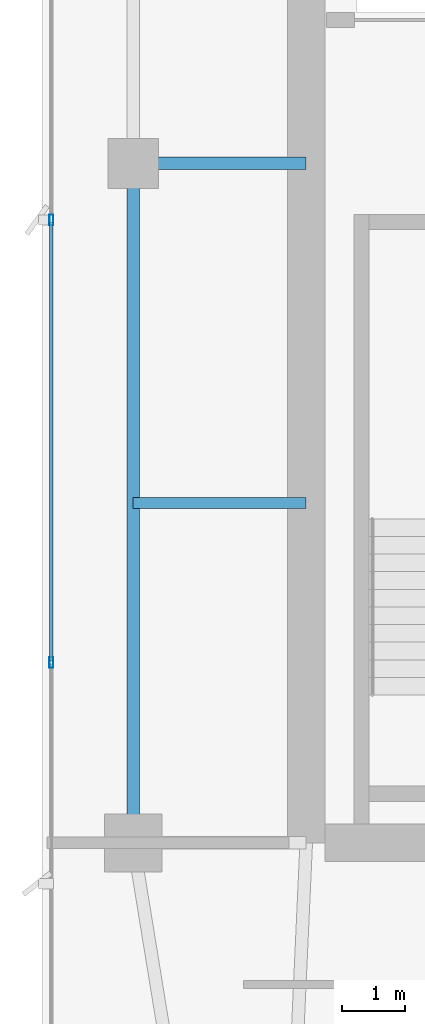
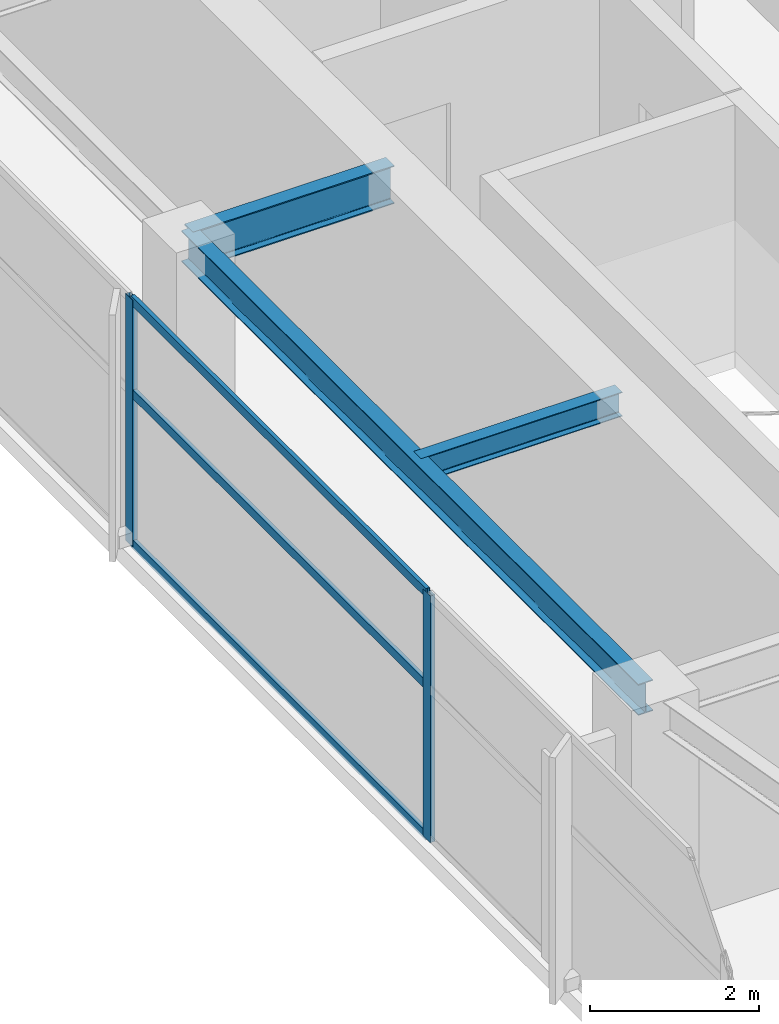
# One storey, part 10 of 27: 5 members, 3 beams, 1 element without a shape of its own.
"""IFC4 building model written with IfcOpenShell, lengths in metres."""

from ifc_helpers import new_model, si_unit, direction, frame, origin, origin_2d, place, context, subcontext, project, spatial, hollow_rectangle, i_section, extrude, material, layer, layer_set, material_profile, profile_set, type_object, element, aggregate, save


model = new_model("IFC4")

# Units and contexts
model_context = context("Model", 3, precision=1e-05, world=origin(), true_north=direction((0.0, 1.0)))
body_context = subcontext(model_context, "Body", "Model", "MODEL_VIEW")
ifc_project = project(units=[si_unit("LENGTHUNIT", "METRE"), si_unit("AREAUNIT", "SQUARE_METRE"), si_unit("VOLUMEUNIT", "CUBIC_METRE"), si_unit("PLANEANGLEUNIT", "RADIAN"), si_unit("MASSUNIT", "GRAM", prefix="KILO")], contexts=[model_context])

# Site, building, storey
site_placement = place(None, origin())
site = spatial("IfcSite", under=ifc_project, at=site_placement, CompositionType="ELEMENT")
building_placement = place(site_placement, origin())
building = spatial("IfcBuilding", under=site, at=building_placement, Name="Calvorn Quay Hotel", CompositionType="ELEMENT")
storey_placement = place(building_placement, frame((0.0, 0.0, 291.10009765625)))
storey = spatial("IfcBuildingStorey", under=building, at=storey_placement, Name="L72", CompositionType="ELEMENT", Elevation=291.10009765625)

# Beams
ifc_material_1 = material(Name="Steel Q355B", Category="steel")
ifc_material_profile_1 = material_profile(ifc_material_1, i_section(OverallWidth=0.199951171875, OverallDepth=0.550048828125, WebThickness=0.010009765625, FlangeThickness=0.01611328125, FilletRadius=0.01806640625, at=origin_2d()), Name="HN550x200x10x16")
ifc_profile_set_1 = profile_set([ifc_material_profile_1], Name="Steel Q355B")
beam_type_1 = type_object("IfcBeamType", Name="BM-GIRD-UPP", PredefinedType="BEAM", material=ifc_profile_set_1)
beam_1_placement = place(storey_placement, frame((1.449951171875, 27.60009765625, 3.264892578125), z_axis=(1.0, 0.0, 0.0), x_axis=(0.0, 1.0, 0.0)))
element("IfcBeam", 1, at=beam_1_placement, inside=storey, type_object=beam_type_1, Name="Beam BG-L72-W2", PredefinedType="BEAM", context=body_context, shape_type="SweptSolid", body=[
    extrude(i_section(OverallWidth=0.199951171875, OverallDepth=0.550048828125, WebThickness=0.010009765625, FlangeThickness=0.01611328125, FilletRadius=0.01806640625, at=origin_2d()), origin(), (0.0, 0.0, 1.0), 2.75),
])
ifc_material_2 = material(Name="Steel Q355B", Category="steel")
ifc_material_profile_2 = material_profile(ifc_material_2, i_section(OverallWidth=0.175048828125, OverallDepth=0.35009765625, WebThickness=0.007080078125, FlangeThickness=0.010986328125, FilletRadius=0.013916015625, at=origin_2d()), Name="HN350x175x7x11")
ifc_profile_set_2 = profile_set([ifc_material_profile_2], Name="Steel Q355B")
beam_type_2 = type_object("IfcBeamType", Name="BM-JOIST-SEC", PredefinedType="JOIST", material=ifc_profile_set_2)
beam_2_placement = place(storey_placement, frame((1.449951171875, 22.199951171875, 3.364990234375), z_axis=(1.0, 0.0, 0.0), x_axis=(0.0, 1.0, 0.0)))
element("IfcBeam", 2, at=beam_2_placement, inside=storey, type_object=beam_type_2, Name="Beam BJ-L72-W3", PredefinedType="JOIST", context=body_context, shape_type="SweptSolid", body=[
    extrude(i_section(OverallWidth=0.175048828125, OverallDepth=0.35009765625, WebThickness=0.007080078125, FlangeThickness=0.010986328125, FilletRadius=0.013916015625, at=origin_2d()), origin(), (0.0, 0.0, 1.0), 2.75),
])
ifc_material_3 = material(Name="Steel Q355B", Category="steel")
ifc_material_profile_3 = material_profile(ifc_material_3, i_section(OverallWidth=0.199951171875, OverallDepth=0.449951171875, WebThickness=0.009033203125, FlangeThickness=0.013916015625, FilletRadius=0.01611328125, at=origin_2d()), Name="HN450x200x9x14")
ifc_profile_set_3 = profile_set([ifc_material_profile_3], Name="Steel Q355B")
beam_type_3 = type_object("IfcBeamType", Name="BM-SPANDREL-Z3", PredefinedType="SPANDREL", material=ifc_profile_set_3)
beam_3_placement = place(storey_placement, frame((1.449951171875, 16.800048828125, 3.31494140625), z_axis=(0.0, 1.0, 0.0), x_axis=(-1.0, 0.0, 0.0)))
element("IfcBeam", 3, at=beam_3_placement, inside=storey, type_object=beam_type_3, Name="Beam BSP-L72-W2", PredefinedType="SPANDREL", context=body_context, shape_type="SweptSolid", body=[
    extrude(i_section(OverallWidth=0.199951171875, OverallDepth=0.449951171875, WebThickness=0.009033203125, FlangeThickness=0.013916015625, FilletRadius=0.01611328125, at=origin_2d()), origin(), (0.0, 0.0, 1.0), 10.800048828125),
])

# Curtain wall, members
ifc_material_4 = material(Name="Champagne Bronze Anodised Aluminium and Low-E Glass", Category="aluminium")
ifc_layer = layer(ifc_material_4, 0.219970703125)
ifc_layer_set = layer_set([ifc_layer], Name="CW-SYS-Z4")
curtain_wall_type = type_object("IfcCurtainWallType", Name="CW-SYS-Z4", PredefinedType="NOTDEFINED", material=ifc_layer_set)
curtain_wall_placement = place(storey_placement, origin())
curtain_wall = element("IfcCurtainWall", 4, at=curtain_wall_placement, inside=storey, type_object=curtain_wall_type, Name="Tower West Curtain Wall (L72)", PredefinedType="NOTDEFINED")
ifc_material_5 = material(Name="Champagne Bronze Anodised Aluminium 6063-T6", Category="aluminium")
ifc_material_profile_4 = material_profile(ifc_material_5, hollow_rectangle(XDim=0.06494140625, YDim=0.169921875, WallThickness=0.00341796875, at=origin_2d()), Name="ALU-M170x65x3.5")
ifc_profile_set_4 = profile_set([ifc_material_profile_4], Name="Champagne Bronze Anodised Aluminium 6063-T6")
member_type_1 = type_object("IfcMemberType", Name="CW-SYS-Z4-MUL", PredefinedType="MULLION", material=ifc_profile_set_4)
member_1_placement = place(storey_placement, frame((0.14990234375, 19.666748046875, 0.0), z_axis=(0.0, 0.0, 1.0), x_axis=(-1.0, 0.0, 0.0)))
member_1 = element("IfcMember", 5, at=member_1_placement, type_object=member_type_1, Name="CW-L72-W mullion 3", PredefinedType="MULLION", context=body_context, shape_type="SweptSolid", body=[
    extrude(hollow_rectangle(XDim=0.06494140625, YDim=0.169921875, WallThickness=0.00341796875, at=origin_2d()), origin(), (0.0, 0.0, 1.0), 3.559814453125),
])
member_2_placement = place(storey_placement, frame((0.14990234375, 26.699951171875, 0.0), z_axis=(0.0, 0.0, 1.0), x_axis=(-1.0, 0.0, 0.0)))
member_2 = element("IfcMember", 6, at=member_2_placement, type_object=member_type_1, Name="CW-L72-W mullion 4", PredefinedType="MULLION", context=body_context, shape_type="SweptSolid", body=[
    extrude(hollow_rectangle(XDim=0.06494140625, YDim=0.169921875, WallThickness=0.00341796875, at=origin_2d()), origin(), (0.0, 0.0, 1.0), 3.559814453125),
])
ifc_material_6 = material(Name="Champagne Bronze Anodised Aluminium 6063-T6", Category="aluminium")
ifc_material_profile_5 = material_profile(ifc_material_6, hollow_rectangle(XDim=0.054931640625, YDim=0.1298828125, WallThickness=0.003173828125, at=origin_2d()), Name="ALU-T130x55x3.2")
ifc_profile_set_5 = profile_set([ifc_material_profile_5], Name="Champagne Bronze Anodised Aluminium 6063-T6")
member_type_2 = type_object("IfcMemberType", Name="CW-SYS-Z4-TRN", PredefinedType="USERDEFINED", material=ifc_profile_set_5)
member_3_placement = place(storey_placement, frame((0.14990234375, 19.69677734375, 0.02978515625), z_axis=(0.0, 1.0, 0.0), x_axis=(-1.0, 0.0, 0.0)))
member_3 = element("IfcMember", 7, at=member_3_placement, type_object=member_type_2, Name="CW-L72-W transom 3.1", ObjectType="TRANSOM", PredefinedType="USERDEFINED", context=body_context, shape_type="SweptSolid", body=[
    extrude(hollow_rectangle(XDim=0.054931640625, YDim=0.1298828125, WallThickness=0.003173828125, at=origin_2d()), origin(), (0.0, 0.0, 1.0), 6.97314453125),
])
member_4_placement = place(storey_placement, frame((0.14990234375, 19.69677734375, 2.199951171875), z_axis=(0.0, 1.0, 0.0), x_axis=(-1.0, 0.0, 0.0)))
member_4 = element("IfcMember", 8, at=member_4_placement, type_object=member_type_2, Name="CW-L72-W transom 3.2", ObjectType="TRANSOM", PredefinedType="USERDEFINED", context=body_context, shape_type="SweptSolid", body=[
    extrude(hollow_rectangle(XDim=0.054931640625, YDim=0.1298828125, WallThickness=0.003173828125, at=origin_2d()), origin(), (0.0, 0.0, 1.0), 6.97314453125),
])
member_5_placement = place(storey_placement, frame((0.14990234375, 19.69677734375, 3.52978515625), z_axis=(0.0, 1.0, 0.0), x_axis=(-1.0, 0.0, 0.0)))
member_5 = element("IfcMember", 9, at=member_5_placement, type_object=member_type_2, Name="CW-L72-W transom 3.3", ObjectType="TRANSOM", PredefinedType="USERDEFINED", context=body_context, shape_type="SweptSolid", body=[
    extrude(hollow_rectangle(XDim=0.054931640625, YDim=0.1298828125, WallThickness=0.003173828125, at=origin_2d()), origin(), (0.0, 0.0, 1.0), 6.97314453125),
])
aggregate(curtain_wall, [member_1, member_2, member_3, member_4, member_5])

save(model, "model.ifc")
